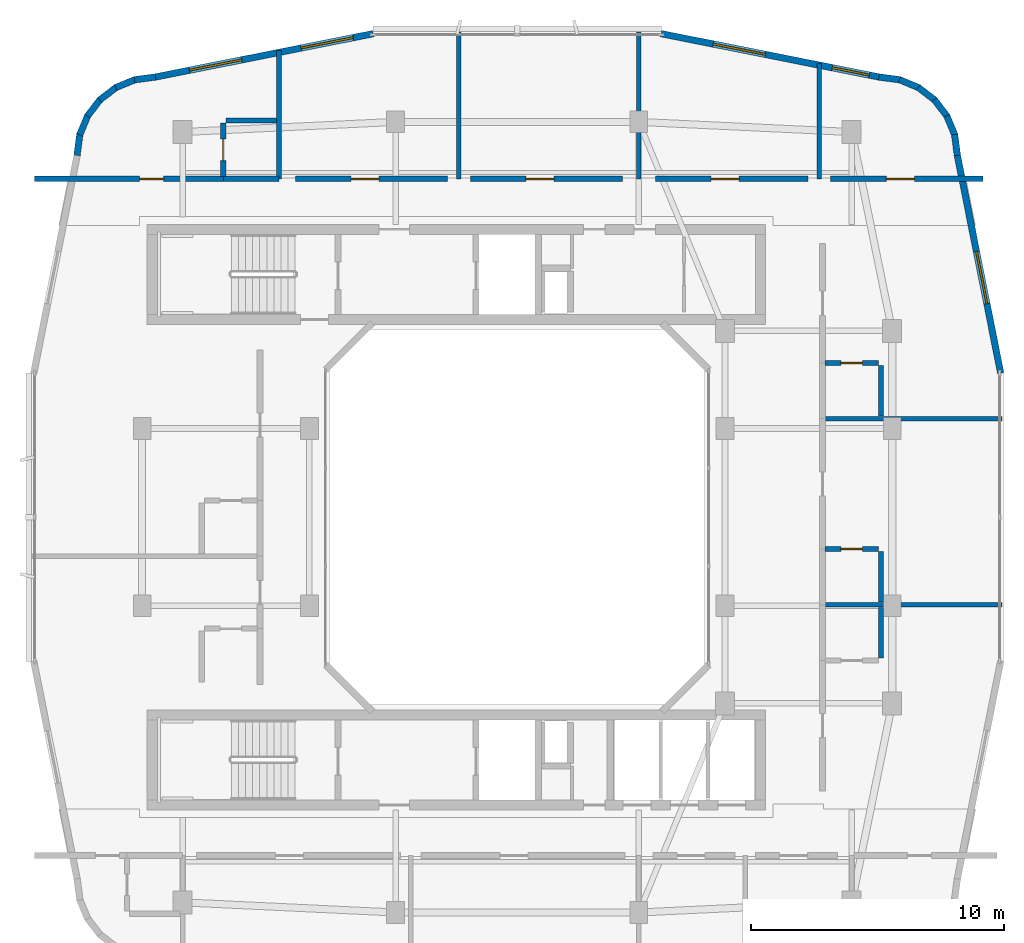
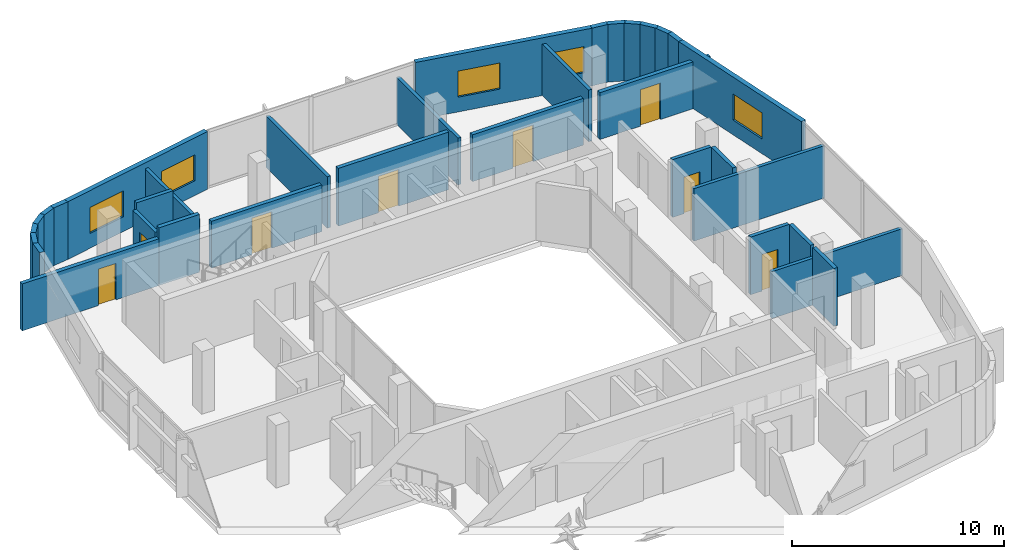
# One storey, part 9 of 14: 34 walls, 8 doors, 5 windows, 13 openings.
"""IFC4 building model written with IfcOpenShell, lengths in metres."""

from ifc_helpers import new_model, si_unit, derived_unit, direction, frame, frame_2d, origin, place, context, subcontext, project, spatial, rectangle, extrude, material, layer, layer_set, type_object, element, fill, save


model = new_model("IFC4")

# Units and contexts
model_context = context("Model", 3, precision=1e-05, world=origin(), true_north=direction((0.0, 1.0)))
body_context = subcontext(model_context, "Body", "Model", "MODEL_VIEW")
ifc_project = project(units=[si_unit("LENGTHUNIT", "METRE"), si_unit("AREAUNIT", "SQUARE_METRE"), si_unit("VOLUMEUNIT", "CUBIC_METRE"), si_unit("PLANEANGLEUNIT", "RADIAN"), si_unit("MASSUNIT", "GRAM", prefix="KILO"), derived_unit("THERMALTRANSMITTANCEUNIT", [(si_unit("POWERUNIT", "WATT"), 1), (si_unit("LENGTHUNIT", "METRE"), -2), (si_unit("THERMODYNAMICTEMPERATUREUNIT", "KELVIN"), -1)])], contexts=[model_context])

# Site, building, storey
site_placement = place(None, origin())
site = spatial("IfcSite", under=ifc_project, at=site_placement, CompositionType="ELEMENT")
building_placement = place(site_placement, origin())
building = spatial("IfcBuilding", under=site, at=building_placement, Name="Kivonza Crest Hotel", CompositionType="ELEMENT")
storey_placement = place(building_placement, frame((0.0, 0.0, 213.5)))
storey = spatial("IfcBuildingStorey", under=building, at=storey_placement, Name="L58", CompositionType="ELEMENT", Elevation=213.5)

# Walls
ifc_material_1 = material(Name="High-density acoustic masonry inter-tenancy wall", Category="masonry")
ifc_layer_1 = layer(ifc_material_1, 0.179931640625)
ifc_layer_set_1 = layer_set([ifc_layer_1], Name="High-density acoustic masonry inter-tenancy wall")
wall_type_1 = type_object("IfcWallType", Name="WL-ACOU-180", PredefinedType="SOLIDWALL", material=ifc_layer_set_1)
wall_1_placement = place(storey_placement, frame((11.60009765625, 38.35009765625, 0.0), z_axis=(0.0, 0.0, 1.0), x_axis=(0.0, 1.0, 0.0)))
element("IfcWall", 1, at=wall_1_placement, inside=storey, type_object=wall_type_1, Name="L58 interior partition WA-L58-T1N-DIV1", PredefinedType="SOLIDWALL", context=body_context, shape_type="SweptSolid", body=[
    extrude(rectangle(XDim=5.06396484375, YDim=0.179931640625, at=frame_2d((2.531982421875, 0.0))), origin(), (0.0, 0.0, 1.0), 2.965087890625),
])
wall_2_placement = place(storey_placement, frame((18.699951171875, 38.35009765625, 0.0), z_axis=(0.0, 0.0, 1.0), x_axis=(0.0, 1.0, 0.0)))
element("IfcWall", 2, at=wall_2_placement, inside=storey, type_object=wall_type_1, Name="L58 interior partition WA-L58-T1N-SPDIV1", PredefinedType="SOLIDWALL", context=body_context, shape_type="SweptSolid", body=[
    extrude(rectangle(XDim=5.789794921875, YDim=0.179931640625, at=frame_2d((2.89501953125, 0.0))), origin(), (0.0, 0.0, 1.0), 2.965087890625),
])
wall_3_placement = place(storey_placement, frame((25.800048828125, 38.35009765625, 0.0), z_axis=(0.0, 0.0, 1.0), x_axis=(0.0, 1.0, 0.0)))
element("IfcWall", 3, at=wall_3_placement, inside=storey, type_object=wall_type_1, Name="L58 interior partition WA-L58-T1N-DIV2", PredefinedType="SOLIDWALL", context=body_context, shape_type="SweptSolid", body=[
    extrude(rectangle(XDim=5.789794921875, YDim=0.179931640625, at=frame_2d((2.89501953125, 0.0))), origin(), (0.0, 0.0, 1.0), 2.695068359375),
])
wall_4_placement = place(storey_placement, frame((32.919921875, 38.35009765625, 0.0), z_axis=(0.0, 0.0, 1.0), x_axis=(0.0, 1.0, 0.0)))
element("IfcWall", 4, at=wall_4_placement, inside=storey, type_object=wall_type_1, Name="L58 interior partition WA-L58-T1N-SPDIV2", PredefinedType="SOLIDWALL", context=body_context, shape_type="SweptSolid", body=[
    extrude(rectangle(XDim=4.56298828125, YDim=0.179931640625, at=frame_2d((2.281494140625, 0.0))), origin(), (0.0, 0.0, 1.0), 2.965087890625),
])
wall_5_placement = place(storey_placement, frame((33.050048828125, 21.5439453125, 0.0), z_axis=(0.0, 0.0, 1.0), x_axis=(1.0, 0.0, 0.0)))
element("IfcWall", 5, at=wall_5_placement, inside=storey, type_object=wall_type_1, Name="L58 interior partition WA-L58-T1E-DIV1", PredefinedType="SOLIDWALL", context=body_context, shape_type="SweptSolid", body=[
    extrude(rectangle(XDim=7.08984375, YDim=0.179931640625, at=frame_2d((3.544921875, 0.0))), origin(), (0.0, 0.0, 1.0), 2.695068359375),
])
wall_6_placement = place(storey_placement, frame((33.050048828125, 28.887939453125, 0.0), z_axis=(0.0, 0.0, 1.0), x_axis=(1.0, 0.0, 0.0)))
element("IfcWall", 6, at=wall_6_placement, inside=storey, type_object=wall_type_1, Name="L58 interior partition WA-L58-T1E-DIV2", PredefinedType="SOLIDWALL", context=body_context, shape_type="SweptSolid", body=[
    extrude(rectangle(XDim=7.08984375, YDim=0.179931640625, at=frame_2d((3.544921875, 0.0))), origin(), (0.0, 0.0, 1.0), 3.014892578125),
])
ifc_material_2 = material(Name="Autoclaved aerated concrete blockwork", Category="masonry")
ifc_layer_2 = layer(ifc_material_2, 0.219970703125)
ifc_layer_set_2 = layer_set([ifc_layer_2], Name="Autoclaved aerated concrete blockwork")
wall_type_2 = type_object("IfcWallType", Name="WL-ACOU-220", PredefinedType="SOLIDWALL", material=ifc_layer_set_2)
wall_7_placement = place(storey_placement, frame((9.39990234375, 38.35009765625, 0.0), z_axis=(0.0, 0.0, 1.0), x_axis=(1.0, 0.0, 0.0)))
element("IfcWall", 7, at=wall_7_placement, inside=storey, type_object=wall_type_2, Name="L58 interior partition WA-L58-N01-BCORR", PredefinedType="SOLIDWALL", context=body_context, shape_type="SweptSolid", body=[
    extrude(rectangle(XDim=2.2001953125, YDim=0.219970703125, at=frame_2d((1.10009765625, 0.0))), origin(), (0.0, 0.0, 1.0), 3.320068359375),
])

# Wall, opening, door
wall_8_placement = place(storey_placement, frame((1.9599609375, 38.35009765625, 0.0), z_axis=(0.0, 0.0, 1.0), x_axis=(1.0, 0.0, 0.0)))
wall_8 = element("IfcWall", 8, at=wall_8_placement, inside=storey, type_object=wall_type_2, Name="L58 interior partition WA-L58-N01-MCORR", PredefinedType="SOLIDWALL", context=body_context, shape_type="SweptSolid", body=[
    extrude(rectangle(XDim=7.43994140625, YDim=0.219970703125, at=frame_2d((3.719970703125, 0.0))), origin(), (0.0, 0.0, 1.0), 2.695068359375),
])
opening_1_placement = place(wall_8_placement, frame((4.139892578125, 0.0, 0.0)))
opening_1 = element("IfcOpeningElement", 9, at=opening_1_placement, cuts=wall_8, Name="Opening DU-60", PredefinedType="OPENING", context=body_context, shape_type="SweptSolid", body=[
    extrude(rectangle(XDim=0.949951171875, YDim=2.10009765625, at=frame_2d((0.47509765625, 1.050048828125))), frame((0.0, 0.1201171875, 0.0), z_axis=(0.0, -1.0, 0.0), x_axis=(1.0, 0.0, 0.0)), (0.0, 0.0, 1.0), 0.239990234375),
])
ifc_material_3 = material(Name="Hardwood timber oak", Category="wood")
door_type_1 = type_object("IfcDoorType", Name="DR-UNIT-950", OperationType="NOTDEFINED", PredefinedType="DOOR", material=ifc_material_3)
door_1_placement = place(opening_1_placement, origin())
door_1 = element("IfcDoor", 10, at=door_1_placement, inside=storey, type_object=door_type_1, Name="L58 N01 guest unit entrance fire door", OperationType="SINGLE_SWING_LEFT", OverallHeight=2.10009765625, OverallWidth=0.949951171875, PredefinedType="DOOR", context=body_context, shape_type="SweptSolid", body=[
    extrude(rectangle(XDim=0.949951171875, YDim=2.10009765625, at=frame_2d((0.47509765625, 1.050048828125))), frame((0.0, 0.02490234375, 0.0), z_axis=(0.0, -1.0, 0.0), x_axis=(1.0, 0.0, 0.0)), (0.0, 0.0, 1.0), 0.050048828125),
])
fill(opening_1, door_1)

wall_9_placement = place(storey_placement, frame((12.25, 38.35009765625, 0.0), z_axis=(0.0, 0.0, 1.0), x_axis=(1.0, 0.0, 0.0)))
wall_9 = element("IfcWall", 11, at=wall_9_placement, inside=storey, type_object=wall_type_2, Name="L58 interior partition WA-L58-Z3-NKIT1A-S", PredefinedType="SOLIDWALL", context=body_context, shape_type="SweptSolid", body=[
    extrude(rectangle(XDim=6.0, YDim=0.219970703125, at=frame_2d((3.0, 0.0))), origin(), (0.0, 0.0, 1.0), 2.695068359375),
])
opening_2_placement = place(wall_9_placement, frame((2.195068359375, 0.0, 0.0)))
opening_2 = element("IfcOpeningElement", 12, at=opening_2_placement, cuts=wall_9, Name="Opening DF-60M", PredefinedType="OPENING", context=body_context, shape_type="SweptSolid", body=[
    extrude(rectangle(XDim=1.10009765625, YDim=2.10009765625, at=frame_2d((0.550048828125, 1.050048828125))), frame((0.0, 0.1201171875, 0.0), z_axis=(0.0, -1.0, 0.0), x_axis=(1.0, 0.0, 0.0)), (0.0, 0.0, 1.0), 0.239990234375),
])
door_type_2 = type_object("IfcDoorType", Name="DR-FD60-1100", OperationType="NOTDEFINED", PredefinedType="DOOR", material=ifc_material_3)
door_2_placement = place(opening_2_placement, origin())
door_2 = element("IfcDoor", 13, at=door_2_placement, inside=storey, type_object=door_type_2, Name="L58 Sky Culinary Tasting Kitchen door", OperationType="SINGLE_SWING_RIGHT", OverallHeight=2.10009765625, OverallWidth=1.10009765625, PredefinedType="DOOR", context=body_context, shape_type="SweptSolid", body=[
    extrude(rectangle(XDim=1.10009765625, YDim=2.10009765625, at=frame_2d((0.550048828125, 1.050048828125))), frame((0.0, 0.02490234375, 0.0), z_axis=(0.0, -1.0, 0.0), x_axis=(1.0, 0.0, 0.0)), (0.0, 0.0, 1.0), 0.050048828125),
])
fill(opening_2, door_2)

wall_10_placement = place(storey_placement, frame((19.14990234375, 38.35009765625, 0.0), z_axis=(0.0, 0.0, 1.0), x_axis=(1.0, 0.0, 0.0)))
wall_10 = element("IfcWall", 14, at=wall_10_placement, inside=storey, type_object=wall_type_2, Name="L58 interior partition WA-L58-Z3-NKIT1B-S", PredefinedType="SOLIDWALL", context=body_context, shape_type="SweptSolid", body=[
    extrude(rectangle(XDim=6.0, YDim=0.219970703125, at=frame_2d((3.0, 0.0))), origin(), (0.0, 0.0, 1.0), 3.320068359375),
])
opening_3_placement = place(wall_10_placement, frame((2.195068359375, 0.0, 0.0)))
opening_3 = element("IfcOpeningElement", 15, at=opening_3_placement, cuts=wall_10, Name="Opening DF-60M", PredefinedType="OPENING", context=body_context, shape_type="SweptSolid", body=[
    extrude(rectangle(XDim=1.10009765625, YDim=2.10009765625, at=frame_2d((0.550048828125, 1.050048828125))), frame((0.0, 0.1201171875, 0.0), z_axis=(0.0, -1.0, 0.0), x_axis=(1.0, 0.0, 0.0)), (0.0, 0.0, 1.0), 0.239990234375),
])
door_3_placement = place(opening_3_placement, origin())
door_3 = element("IfcDoor", 16, at=door_3_placement, inside=storey, type_object=door_type_2, Name="L58 Sky Sommelier Pastry Kitchen door", OperationType="SINGLE_SWING_LEFT", OverallHeight=2.10009765625, OverallWidth=1.10009765625, PredefinedType="DOOR", context=body_context, shape_type="SweptSolid", body=[
    extrude(rectangle(XDim=1.10009765625, YDim=2.10009765625, at=frame_2d((0.550048828125, 1.050048828125))), frame((0.0, 0.02490234375, 0.0), z_axis=(0.0, -1.0, 0.0), x_axis=(1.0, 0.0, 0.0)), (0.0, 0.0, 1.0), 0.050048828125),
])
fill(opening_3, door_3)

wall_11_placement = place(storey_placement, frame((26.449951171875, 38.35009765625, 0.0), z_axis=(0.0, 0.0, 1.0), x_axis=(1.0, 0.0, 0.0)))
wall_11 = element("IfcWall", 17, at=wall_11_placement, inside=storey, type_object=wall_type_2, Name="L58 interior partition WA-L58-Z3-NKIT2A-S", PredefinedType="SOLIDWALL", context=body_context, shape_type="SweptSolid", body=[
    extrude(rectangle(XDim=6.02001953125, YDim=0.219970703125, at=frame_2d((3.010009765625, 0.0))), origin(), (0.0, 0.0, 1.0), 2.695068359375),
])
opening_4_placement = place(wall_11_placement, frame((2.2041015625, 0.0, 0.0)))
opening_4 = element("IfcOpeningElement", 18, at=opening_4_placement, cuts=wall_11, Name="Opening DF-60M", PredefinedType="OPENING", context=body_context, shape_type="SweptSolid", body=[
    extrude(rectangle(XDim=1.10009765625, YDim=2.10009765625, at=frame_2d((0.550048828125, 1.050048828125))), frame((0.0, 0.1201171875, 0.0), z_axis=(0.0, -1.0, 0.0), x_axis=(1.0, 0.0, 0.0)), (0.0, 0.0, 1.0), 0.239990234375),
])
door_4_placement = place(opening_4_placement, origin())
door_4 = element("IfcDoor", 19, at=door_4_placement, inside=storey, type_object=door_type_2, Name="L58 Sky Culinary Tasting Kitchen door", OperationType="SINGLE_SWING_RIGHT", OverallHeight=2.10009765625, OverallWidth=1.10009765625, PredefinedType="DOOR", context=body_context, shape_type="SweptSolid", body=[
    extrude(rectangle(XDim=1.10009765625, YDim=2.10009765625, at=frame_2d((0.550048828125, 1.050048828125))), frame((0.0, 0.02490234375, 0.0), z_axis=(0.0, -1.0, 0.0), x_axis=(1.0, 0.0, 0.0)), (0.0, 0.0, 1.0), 0.050048828125),
])
fill(opening_4, door_4)

wall_12_placement = place(storey_placement, frame((33.3701171875, 38.35009765625, 0.0), z_axis=(0.0, 0.0, 1.0), x_axis=(1.0, 0.0, 0.0)))
wall_12 = element("IfcWall", 20, at=wall_12_placement, inside=storey, type_object=wall_type_2, Name="L58 interior partition WA-L58-Z3-NKIT2B-S", PredefinedType="SOLIDWALL", context=body_context, shape_type="SweptSolid", body=[
    extrude(rectangle(XDim=6.019775390625, YDim=0.219970703125, at=frame_2d((3.009765625, 0.0))), origin(), (0.0, 0.0, 1.0), 2.695068359375),
])
opening_5_placement = place(wall_12_placement, frame((2.2041015625, 0.0, 0.0)))
opening_5 = element("IfcOpeningElement", 21, at=opening_5_placement, cuts=wall_12, Name="Opening DF-60M", PredefinedType="OPENING", context=body_context, shape_type="SweptSolid", body=[
    extrude(rectangle(XDim=1.10009765625, YDim=2.10009765625, at=frame_2d((0.550048828125, 1.050048828125))), frame((0.0, 0.1201171875, 0.0), z_axis=(0.0, -1.0, 0.0), x_axis=(1.0, 0.0, 0.0)), (0.0, 0.0, 1.0), 0.239990234375),
])
door_5_placement = place(opening_5_placement, origin())
door_5 = element("IfcDoor", 22, at=door_5_placement, inside=storey, type_object=door_type_2, Name="L58 Sky Sommelier Pastry Kitchen door", OperationType="SINGLE_SWING_LEFT", OverallHeight=2.10009765625, OverallWidth=1.10009765625, PredefinedType="DOOR", context=body_context, shape_type="SweptSolid", body=[
    extrude(rectangle(XDim=1.10009765625, YDim=2.10009765625, at=frame_2d((0.550048828125, 1.050048828125))), frame((0.0, 0.02490234375, 0.0), z_axis=(0.0, -1.0, 0.0), x_axis=(1.0, 0.0, 0.0)), (0.0, 0.0, 1.0), 0.050048828125),
])
fill(opening_5, door_5)

# Wall, opening, window
ifc_material_4 = material(Name="Precast concrete C40/50", Category="concrete")
ifc_layer_3 = layer(ifc_material_4, 0.260009765625)
ifc_layer_set_3 = layer_set([ifc_layer_3], Name="Precast concrete C40/50")
wall_type_3 = type_object("IfcWallType", Name="WL-EXT-260", PredefinedType="STANDARD", material=ifc_layer_set_3)
wall_13_placement = place(storey_placement, frame((40.083984375, 30.680908203125, 0.0), z_axis=(0.0, 0.0, 1.0), x_axis=(-0.195291715883, 0.980745199176, 0.0)))
wall_13 = element("IfcWall", 23, at=wall_13_placement, inside=storey, type_object=wall_type_3, Name="L58 T1 exterior insulated wall 18", PredefinedType="STANDARD", context=body_context, shape_type="SweptSolid", body=[
    extrude(rectangle(XDim=8.77099609375, YDim=0.260009765625, at=frame_2d((4.385498046875, 0.0))), origin(), (0.0, 0.0, 1.0), 3.320068359375),
])
opening_6_placement = place(wall_13_placement, frame((2.798095703125, 0.0, 0.85009765625)))
opening_6 = element("IfcOpeningElement", 24, at=opening_6_placement, cuts=wall_13, Name="Opening WN-04", PredefinedType="OPENING", context=body_context, shape_type="SweptSolid", body=[
    extrude(rectangle(XDim=2.10009765625, YDim=1.5, at=frame_2d((1.050048828125, 0.75))), frame((0.0, 0.14013671875, 0.0), z_axis=(0.0, -1.0, 0.0), x_axis=(1.0, 0.0, 0.0)), (0.0, 0.0, 1.0), 0.280029296875),
])
ifc_material_5 = material(Name="Thermally broken bronze aluminium and low-E double glazing", Category="aluminium")
window_type_1 = type_object("IfcWindowType", Name="WN-210x150", PartitioningType="DOUBLE_PANEL_VERTICAL", PredefinedType="WINDOW", material=ifc_material_5)
window_1_placement = place(opening_6_placement, origin())
window_1 = element("IfcWindow", 25, at=window_1_placement, inside=storey, type_object=window_type_1, Name="L58 T1 facade window 18", OverallHeight=1.5, OverallWidth=2.10009765625, PartitioningType="SINGLE_PANEL", PredefinedType="WINDOW", context=body_context, shape_type="SweptSolid", body=[
    extrude(rectangle(XDim=2.10009765625, YDim=1.5, at=frame_2d((1.050048828125, 0.75))), frame((0.0, 0.030029296875, 0.0), z_axis=(0.0, -1.0, 0.0), x_axis=(1.0, 0.0, 0.0)), (0.0, 0.0, 1.0), 0.06005859375),
])
fill(opening_6, window_1)

# Walls
wall_14_placement = place(storey_placement, frame((38.3720703125, 39.27490234375, 0.0), z_axis=(0.0, 0.0, 1.0), x_axis=(-0.130954667764, 0.9913883573, 0.0)))
element("IfcWall", 26, at=wall_14_placement, inside=storey, type_object=wall_type_3, Name="L58 T1 exterior insulated wall 19", PredefinedType="STANDARD", context=body_context, shape_type="SweptSolid", body=[
    extrude(rectangle(XDim=0.833251953125, YDim=0.260009765625, at=frame_2d((0.41650390625, 0.0))), origin(), (0.0, 0.0, 1.0), 3.320068359375),
])
wall_15_placement = place(storey_placement, frame((38.281005859375, 40.054931640625, 0.0), z_axis=(0.0, 0.0, 1.0), x_axis=(-0.382985169477, 0.923754491172, 0.0)))
element("IfcWall", 27, at=wall_15_placement, inside=storey, type_object=wall_type_3, Name="L58 T1 exterior insulated wall 20", PredefinedType="STANDARD", context=body_context, shape_type="SweptSolid", body=[
    extrude(rectangle(XDim=0.85107421875, YDim=0.260009765625, at=frame_2d((0.425537109375, 0.0))), origin(), (0.0, 0.0, 1.0), 3.320068359375),
])
for number, where, z_axis, x_axis, name in (
    (28, (37.98291015625, 40.801025390625, 0.0), (0.0, 0.0, 1.0), (-0.607918988881, 0.793999057278, 0.0), "L58 T1 exterior insulated wall 21"),
    (29, (37.50390625, 41.445068359375, 0.0), (0.0, 0.0, 1.0), (-0.793892896323, 0.608057619941, 0.0), "L58 T1 exterior insulated wall 22"),
):
    element("IfcWall", number, at=place(storey_placement, frame(where, z_axis=z_axis, x_axis=x_axis)), inside=storey, type_object=wall_type_3, Name=name, PredefinedType="STANDARD", context=body_context, shape_type="SweptSolid", body=[
        extrude(rectangle(XDim=0.85009765625, YDim=0.260009765625, at=frame_2d((0.425048828125, 0.0))), origin(), (0.0, 0.0, 1.0), 3.320068359375),
    ])
wall_16_placement = place(storey_placement, frame((36.873046875, 41.94091796875, 0.0), z_axis=(0.0, 0.0, 1.0), x_axis=(-0.923652976167, 0.383229930484, 0.0)))
element("IfcWall", 30, at=wall_16_placement, inside=storey, type_object=wall_type_3, Name="L58 T1 exterior insulated wall 23", PredefinedType="STANDARD", context=body_context, shape_type="SweptSolid", body=[
    extrude(rectangle(XDim=0.85107421875, YDim=0.260009765625, at=frame_2d((0.425537109375, 0.0))), origin(), (0.0, 0.0, 1.0), 3.320068359375),
])
wall_17_placement = place(storey_placement, frame((36.135986328125, 42.259033203125, 0.0), z_axis=(0.0, 0.0, 1.0), x_axis=(-0.991493480548, 0.130156359936, 0.0)))
element("IfcWall", 31, at=wall_17_placement, inside=storey, type_object=wall_type_3, Name="L58 T1 exterior insulated wall 24", PredefinedType="STANDARD", context=body_context, shape_type="SweptSolid", body=[
    extrude(rectangle(XDim=0.868408203125, YDim=0.260009765625, at=frame_2d((0.43408203125, 0.0))), origin(), (0.0, 0.0, 1.0), 3.320068359375),
])

# Wall, openings, windows
wall_18_placement = place(storey_placement, frame((35.282958984375, 42.37109375, 0.0), z_axis=(0.0, 0.0, 1.0), x_axis=(-0.980745199176, 0.195291715883, 0.0)))
wall_18 = element("IfcWall", 32, at=wall_18_placement, inside=storey, type_object=wall_type_3, Name="L58 T1 exterior insulated wall 25", PredefinedType="STANDARD", context=body_context, shape_type="SweptSolid", body=[
    extrude(rectangle(XDim=8.77099609375, YDim=0.260009765625, at=frame_2d((4.385498046875, 0.0))), origin(), (0.0, 0.0, 1.0), 3.320068359375),
])
opening_7_placement = place(wall_18_placement, frame((0.39306640625, 0.0, 0.85009765625)))
opening_7 = element("IfcOpeningElement", 33, at=opening_7_placement, cuts=wall_18, Name="Opening WN-02", PredefinedType="OPENING", context=body_context, shape_type="SweptSolid", body=[
    extrude(rectangle(XDim=1.5, YDim=1.5, at=frame_2d((0.75, 0.75))), frame((0.0, 0.14013671875, 0.0), z_axis=(0.0, -1.0, 0.0), x_axis=(1.0, 0.0, 0.0)), (0.0, 0.0, 1.0), 0.280029296875),
])
opening_8_placement = place(wall_18_placement, frame((4.576904296875, 0.0, 0.85009765625)))
opening_8 = element("IfcOpeningElement", 34, at=opening_8_placement, cuts=wall_18, Name="Opening WN-04", PredefinedType="OPENING", context=body_context, shape_type="SweptSolid", body=[
    extrude(rectangle(XDim=2.10009765625, YDim=1.5, at=frame_2d((1.050048828125, 0.75))), frame((0.0, 0.14013671875, 0.0), z_axis=(0.0, -1.0, 0.0), x_axis=(1.0, 0.0, 0.0)), (0.0, 0.0, 1.0), 0.280029296875),
])
window_type_2 = type_object("IfcWindowType", Name="WN-150x150", PartitioningType="DOUBLE_PANEL_VERTICAL", PredefinedType="WINDOW", material=ifc_material_5)
window_2_placement = place(opening_7_placement, origin())
window_2 = element("IfcWindow", 35, at=window_2_placement, inside=storey, type_object=window_type_2, Name="L58 T1 facade window 25 bay 1", OverallHeight=1.5, OverallWidth=1.5, PartitioningType="SINGLE_PANEL", PredefinedType="WINDOW", context=body_context, shape_type="SweptSolid", body=[
    extrude(rectangle(XDim=1.5, YDim=1.5, at=frame_2d((0.75, 0.75))), frame((0.0, 0.030029296875, 0.0), z_axis=(0.0, -1.0, 0.0), x_axis=(1.0, 0.0, 0.0)), (0.0, 0.0, 1.0), 0.06005859375),
])
fill(opening_7, window_2)
window_3_placement = place(opening_8_placement, origin())
window_3 = element("IfcWindow", 36, at=window_3_placement, inside=storey, type_object=window_type_1, Name="L58 T1 facade window 25 bay 2", OverallHeight=1.5, OverallWidth=2.10009765625, PartitioningType="SINGLE_PANEL", PredefinedType="WINDOW", context=body_context, shape_type="SweptSolid", body=[
    extrude(rectangle(XDim=2.10009765625, YDim=1.5, at=frame_2d((1.050048828125, 0.75))), frame((0.0, 0.030029296875, 0.0), z_axis=(0.0, -1.0, 0.0), x_axis=(1.0, 0.0, 0.0)), (0.0, 0.0, 1.0), 0.06005859375),
])
fill(opening_8, window_3)

wall_19_placement = place(storey_placement, frame((15.319091796875, 44.083984375, 0.0), z_axis=(0.0, 0.0, 1.0), x_axis=(-0.980745199176, -0.195291715883, 0.0)))
wall_19 = element("IfcWall", 37, at=wall_19_placement, inside=storey, type_object=wall_type_3, Name="L58 T1 exterior insulated wall 27", PredefinedType="STANDARD", context=body_context, shape_type="SweptSolid", body=[
    extrude(rectangle(XDim=8.77099609375, YDim=0.260009765625, at=frame_2d((4.385498046875, 0.0))), origin(), (0.0, 0.0, 1.0), 3.320068359375),
])
opening_9_placement = place(wall_19_placement, frame((0.80908203125, 0.0, 0.85009765625)))
opening_9 = element("IfcOpeningElement", 38, at=opening_9_placement, cuts=wall_19, Name="Opening WN-04", PredefinedType="OPENING", context=body_context, shape_type="SweptSolid", body=[
    extrude(rectangle(XDim=2.10009765625, YDim=1.5, at=frame_2d((1.050048828125, 0.75))), frame((0.0, 0.14013671875, 0.0), z_axis=(0.0, -1.0, 0.0), x_axis=(1.0, 0.0, 0.0)), (0.0, 0.0, 1.0), 0.280029296875),
])
opening_10_placement = place(wall_19_placement, frame((5.29296875, 0.0, 0.85009765625)))
opening_10 = element("IfcOpeningElement", 39, at=opening_10_placement, cuts=wall_19, Name="Opening WN-04", PredefinedType="OPENING", context=body_context, shape_type="SweptSolid", body=[
    extrude(rectangle(XDim=2.10009765625, YDim=1.5, at=frame_2d((1.050048828125, 0.75))), frame((0.0, 0.14013671875, 0.0), z_axis=(0.0, -1.0, 0.0), x_axis=(1.0, 0.0, 0.0)), (0.0, 0.0, 1.0), 0.280029296875),
])
window_4_placement = place(opening_9_placement, origin())
window_4 = element("IfcWindow", 40, at=window_4_placement, inside=storey, type_object=window_type_1, Name="L58 T1 facade window 27 bay 1", OverallHeight=1.5, OverallWidth=2.10009765625, PartitioningType="SINGLE_PANEL", PredefinedType="WINDOW", context=body_context, shape_type="SweptSolid", body=[
    extrude(rectangle(XDim=2.10009765625, YDim=1.5, at=frame_2d((1.050048828125, 0.75))), frame((0.0, 0.030029296875, 0.0), z_axis=(0.0, -1.0, 0.0), x_axis=(1.0, 0.0, 0.0)), (0.0, 0.0, 1.0), 0.06005859375),
])
fill(opening_9, window_4)
window_5_placement = place(opening_10_placement, origin())
window_5 = element("IfcWindow", 41, at=window_5_placement, inside=storey, type_object=window_type_1, Name="L58 T1 facade window 27 bay 2", OverallHeight=1.5, OverallWidth=2.10009765625, PartitioningType="SINGLE_PANEL", PredefinedType="WINDOW", context=body_context, shape_type="SweptSolid", body=[
    extrude(rectangle(XDim=2.10009765625, YDim=1.5, at=frame_2d((1.050048828125, 0.75))), frame((0.0, 0.030029296875, 0.0), z_axis=(0.0, -1.0, 0.0), x_axis=(1.0, 0.0, 0.0)), (0.0, 0.0, 1.0), 0.06005859375),
])
fill(opening_10, window_5)

# Walls
wall_20_placement = place(storey_placement, frame((6.72509765625, 42.3720703125, 0.0), z_axis=(0.0, 0.0, 1.0), x_axis=(-0.9913883573, -0.130954667764, 0.0)))
element("IfcWall", 42, at=wall_20_placement, inside=storey, type_object=wall_type_3, Name="L58 T1 exterior insulated wall 28", PredefinedType="STANDARD", context=body_context, shape_type="SweptSolid", body=[
    extrude(rectangle(XDim=0.833251953125, YDim=0.260009765625, at=frame_2d((0.41650390625, 0.0))), origin(), (0.0, 0.0, 1.0), 3.320068359375),
])
wall_21_placement = place(storey_placement, frame((5.945068359375, 42.281005859375, 0.0), z_axis=(0.0, 0.0, 1.0), x_axis=(-0.923754491172, -0.382985169477, 0.0)))
element("IfcWall", 43, at=wall_21_placement, inside=storey, type_object=wall_type_3, Name="L58 T1 exterior insulated wall 29", PredefinedType="STANDARD", context=body_context, shape_type="SweptSolid", body=[
    extrude(rectangle(XDim=0.85107421875, YDim=0.260009765625, at=frame_2d((0.425537109375, 0.0))), origin(), (0.0, 0.0, 1.0), 3.320068359375),
])
for number, where, z_axis, x_axis, name in (
    (44, (5.198974609375, 41.98291015625, 0.0), (0.0, 0.0, 1.0), (-0.793999057278, -0.607918988881, 0.0), "L58 T1 exterior insulated wall 30"),
    (45, (4.554931640625, 41.50390625, 0.0), (0.0, 0.0, 1.0), (-0.608057619941, -0.793892896323, 0.0), "L58 T1 exterior insulated wall 31"),
):
    element("IfcWall", number, at=place(storey_placement, frame(where, z_axis=z_axis, x_axis=x_axis)), inside=storey, type_object=wall_type_3, Name=name, PredefinedType="STANDARD", context=body_context, shape_type="SweptSolid", body=[
        extrude(rectangle(XDim=0.85009765625, YDim=0.260009765625, at=frame_2d((0.425048828125, 0.0))), origin(), (0.0, 0.0, 1.0), 3.320068359375),
    ])
wall_22_placement = place(storey_placement, frame((4.05908203125, 40.873046875, 0.0), z_axis=(0.0, 0.0, 1.0), x_axis=(-0.383229930484, -0.923652976167, 0.0)))
element("IfcWall", 46, at=wall_22_placement, inside=storey, type_object=wall_type_3, Name="L58 T1 exterior insulated wall 32", PredefinedType="STANDARD", context=body_context, shape_type="SweptSolid", body=[
    extrude(rectangle(XDim=0.85107421875, YDim=0.260009765625, at=frame_2d((0.425537109375, 0.0))), origin(), (0.0, 0.0, 1.0), 3.320068359375),
])
wall_23_placement = place(storey_placement, frame((3.740966796875, 40.135986328125, 0.0), z_axis=(0.0, 0.0, 1.0), x_axis=(-0.130156359936, -0.991493480548, 0.0)))
element("IfcWall", 47, at=wall_23_placement, inside=storey, type_object=wall_type_3, Name="L58 T1 exterior insulated wall 33", PredefinedType="STANDARD", context=body_context, shape_type="SweptSolid", body=[
    extrude(rectangle(XDim=0.868408203125, YDim=0.260009765625, at=frame_2d((0.43408203125, 0.0))), origin(), (0.0, 0.0, 1.0), 3.320068359375),
])

# Wall, opening, door
ifc_material_6 = material(Name="Moisture-resistant plumbing chase partition wall", Category="gypsum")
ifc_layer_4 = layer(ifc_material_6, 0.199951171875)
ifc_layer_set_4 = layer_set([ifc_layer_4], Name="Moisture-resistant plumbing chase partition wall")
wall_type_4 = type_object("IfcWallType", Name="WL-PLUMB-200", PredefinedType="PLUMBINGWALL", material=ifc_layer_set_4)
wall_24_placement = place(storey_placement, frame((9.39990234375, 38.449951171875, 0.0), z_axis=(0.0, 0.0, 1.0), x_axis=(0.0, 1.0, 0.0)))
wall_24 = element("IfcWall", 48, at=wall_24_placement, inside=storey, type_object=wall_type_4, Name="L58 interior partition WW-L58-N01-BV", PredefinedType="PLUMBINGWALL", context=body_context, shape_type="SweptSolid", body=[
    extrude(rectangle(XDim=2.10009765625, YDim=0.199951171875, at=frame_2d((1.050048828125, 0.0))), origin(), (0.0, 0.0, 1.0), 2.965087890625),
])
opening_11_placement = place(wall_24_placement, frame((0.625, 0.0, 0.0)))
opening_11 = element("IfcOpeningElement", 49, at=opening_11_placement, cuts=wall_24, Name="Opening DI-85", PredefinedType="OPENING", context=body_context, shape_type="SweptSolid", body=[
    extrude(rectangle(XDim=0.85009765625, YDim=2.10009765625, at=frame_2d((0.425048828125, 1.050048828125))), frame((0.0, 0.10986328125, 0.0), z_axis=(0.0, -1.0, 0.0), x_axis=(1.0, 0.0, 0.0)), (0.0, 0.0, 1.0), 0.219970703125),
])
door_type_3 = type_object("IfcDoorType", Name="DR-INT-850", OperationType="NOTDEFINED", PredefinedType="DOOR", material=ifc_material_3)
door_6_placement = place(opening_11_placement, origin())
door_6 = element("IfcDoor", 50, at=door_6_placement, inside=storey, type_object=door_type_3, Name="L58 N01 en-suite bathroom door", OperationType="SINGLE_SWING_RIGHT", OverallHeight=2.10009765625, OverallWidth=0.85009765625, PredefinedType="DOOR", context=body_context, shape_type="SweptSolid", body=[
    extrude(rectangle(XDim=0.85009765625, YDim=2.10009765625, at=frame_2d((0.425048828125, 1.050048828125))), frame((0.0, 0.02490234375, 0.0), z_axis=(0.0, -1.0, 0.0), x_axis=(1.0, 0.0, 0.0)), (0.0, 0.0, 1.0), 0.050048828125),
])
fill(opening_11, door_6)

# Walls
for number, where, z_axis, x_axis, name in (
    (51, (9.5, 40.64990234375, 0.0), (0.0, 0.0, 1.0), (1.0, 0.0, 0.0), "L58 interior partition WW-L58-N01-BH"),
    (52, (35.35009765625, 19.444091796875, 0.0), (0.0, 0.0, 1.0), (0.0, 1.0, 0.0), "L58 interior partition WW-L58-E05-BV"),
):
    element("IfcWall", number, at=place(storey_placement, frame(where, z_axis=z_axis, x_axis=x_axis)), inside=storey, type_object=wall_type_4, Name=name, PredefinedType="PLUMBINGWALL", context=body_context, shape_type="SweptSolid", body=[
        extrude(rectangle(XDim=2.0, YDim=0.199951171875, at=frame_2d((1.0, 0.0))), origin(), (0.0, 0.0, 1.0), 3.320068359375),
    ])

# Wall, opening, door
wall_25_placement = place(storey_placement, frame((33.14990234375, 23.743896484375, 0.0), z_axis=(0.0, 0.0, 1.0), x_axis=(1.0, 0.0, 0.0)))
wall_25 = element("IfcWall", 53, at=wall_25_placement, inside=storey, type_object=wall_type_4, Name="L58 interior partition WW-L58-E06-BH", PredefinedType="PLUMBINGWALL", context=body_context, shape_type="SweptSolid", body=[
    extrude(rectangle(XDim=2.10009765625, YDim=0.199951171875, at=frame_2d((1.050048828125, 0.0))), origin(), (0.0, 0.0, 1.0), 3.320068359375),
])
opening_12_placement = place(wall_25_placement, frame((0.625, 0.0, 0.0)))
opening_12 = element("IfcOpeningElement", 54, at=opening_12_placement, cuts=wall_25, Name="Opening DI-85", PredefinedType="OPENING", context=body_context, shape_type="SweptSolid", body=[
    extrude(rectangle(XDim=0.85009765625, YDim=2.10009765625, at=frame_2d((0.425048828125, 1.050048828125))), frame((0.0, 0.10986328125, 0.0), z_axis=(0.0, -1.0, 0.0), x_axis=(1.0, 0.0, 0.0)), (0.0, 0.0, 1.0), 0.219970703125),
])
door_7_placement = place(opening_12_placement, origin())
door_7 = element("IfcDoor", 55, at=door_7_placement, inside=storey, type_object=door_type_3, Name="L58 E06 en-suite bathroom door", OperationType="SINGLE_SWING_LEFT", OverallHeight=2.10009765625, OverallWidth=0.85009765625, PredefinedType="DOOR", context=body_context, shape_type="SweptSolid", body=[
    extrude(rectangle(XDim=0.85009765625, YDim=2.10009765625, at=frame_2d((0.425048828125, 1.050048828125))), frame((0.0, 0.02490234375, 0.0), z_axis=(0.0, -1.0, 0.0), x_axis=(1.0, 0.0, 0.0)), (0.0, 0.0, 1.0), 0.050048828125),
])
fill(opening_12, door_7)

# Wall
wall_26_placement = place(storey_placement, frame((35.35009765625, 21.64404296875, 0.0), z_axis=(0.0, 0.0, 1.0), x_axis=(0.0, 1.0, 0.0)))
element("IfcWall", 56, at=wall_26_placement, inside=storey, type_object=wall_type_4, Name="L58 interior partition WW-L58-E06-BV", PredefinedType="PLUMBINGWALL", context=body_context, shape_type="SweptSolid", body=[
    extrude(rectangle(XDim=2.0, YDim=0.199951171875, at=frame_2d((1.0, 0.0))), origin(), (0.0, 0.0, 1.0), 3.320068359375),
])

# Wall, opening, door
wall_27_placement = place(storey_placement, frame((33.14990234375, 31.087890625, 0.0), z_axis=(0.0, 0.0, 1.0), x_axis=(1.0, 0.0, 0.0)))
wall_27 = element("IfcWall", 57, at=wall_27_placement, inside=storey, type_object=wall_type_4, Name="L58 interior partition WW-L58-E07-BH", PredefinedType="PLUMBINGWALL", context=body_context, shape_type="SweptSolid", body=[
    extrude(rectangle(XDim=2.10009765625, YDim=0.199951171875, at=frame_2d((1.050048828125, 0.0))), origin(), (0.0, 0.0, 1.0), 3.320068359375),
])
opening_13_placement = place(wall_27_placement, frame((0.625, 0.0, 0.0)))
opening_13 = element("IfcOpeningElement", 58, at=opening_13_placement, cuts=wall_27, Name="Opening DI-85", PredefinedType="OPENING", context=body_context, shape_type="SweptSolid", body=[
    extrude(rectangle(XDim=0.85009765625, YDim=2.10009765625, at=frame_2d((0.425048828125, 1.050048828125))), frame((0.0, 0.10986328125, 0.0), z_axis=(0.0, -1.0, 0.0), x_axis=(1.0, 0.0, 0.0)), (0.0, 0.0, 1.0), 0.219970703125),
])
door_8_placement = place(opening_13_placement, origin())
door_8 = element("IfcDoor", 59, at=door_8_placement, inside=storey, type_object=door_type_3, Name="L58 E07 en-suite bathroom door", OperationType="SINGLE_SWING_RIGHT", OverallHeight=2.10009765625, OverallWidth=0.85009765625, PredefinedType="DOOR", context=body_context, shape_type="SweptSolid", body=[
    extrude(rectangle(XDim=0.85009765625, YDim=2.10009765625, at=frame_2d((0.425048828125, 1.050048828125))), frame((0.0, 0.02490234375, 0.0), z_axis=(0.0, -1.0, 0.0), x_axis=(1.0, 0.0, 0.0)), (0.0, 0.0, 1.0), 0.050048828125),
])
fill(opening_13, door_8)

# Wall
wall_28_placement = place(storey_placement, frame((35.35009765625, 28.988037109375, 0.0), z_axis=(0.0, 0.0, 1.0), x_axis=(0.0, 1.0, 0.0)))
element("IfcWall", 60, at=wall_28_placement, inside=storey, type_object=wall_type_4, Name="L58 interior partition WW-L58-E07-BV", PredefinedType="PLUMBINGWALL", context=body_context, shape_type="SweptSolid", body=[
    extrude(rectangle(XDim=2.0, YDim=0.199951171875, at=frame_2d((1.0, 0.0))), origin(), (0.0, 0.0, 1.0), 3.320068359375),
])

save(model, "model.ifc")
